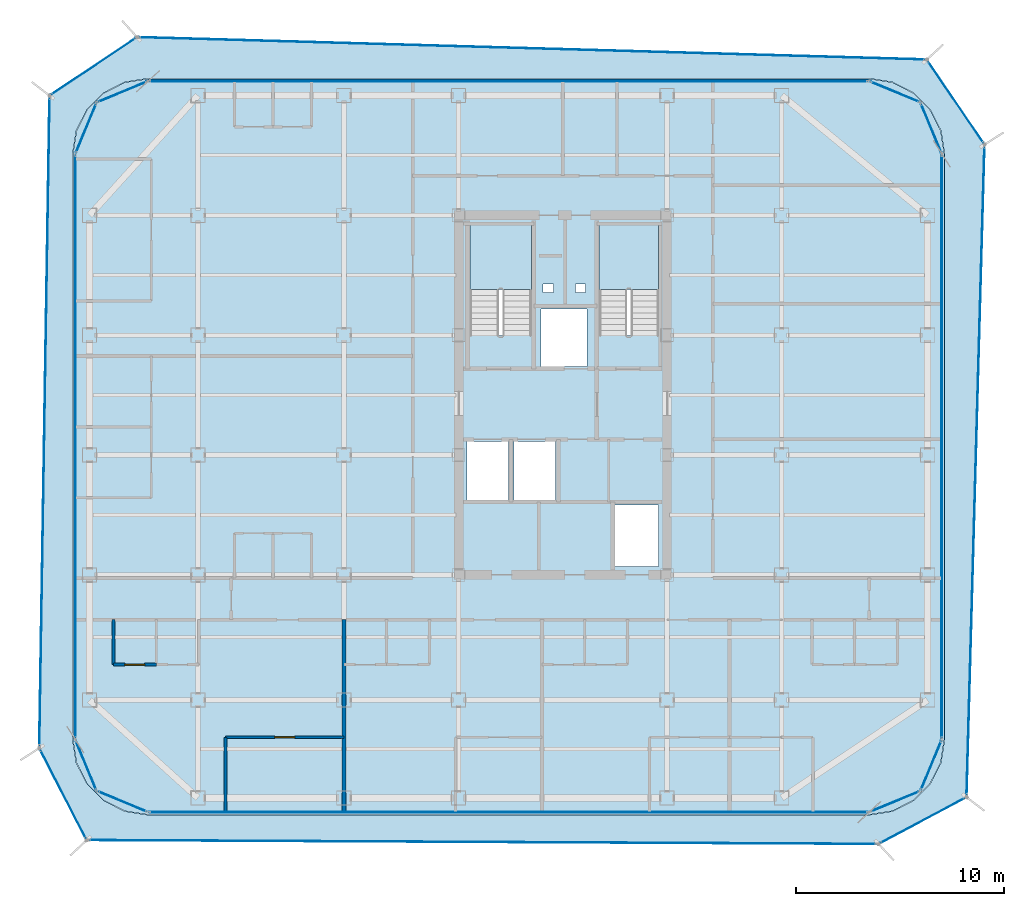
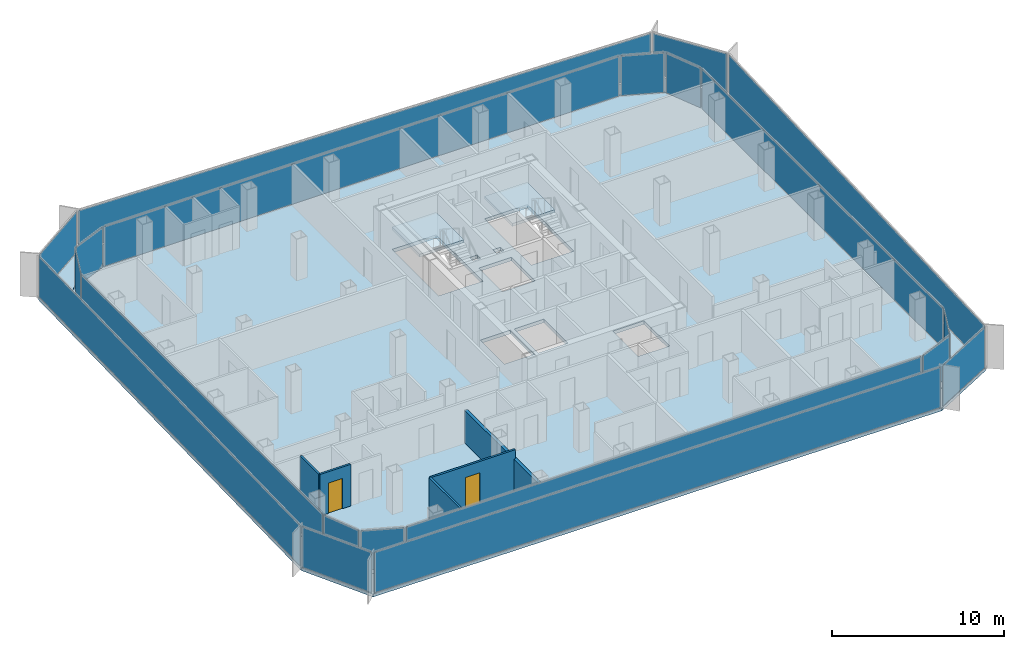
# One storey, part 9 of 16: 20 plates, 5 walls, 4 slabs, 2 doors, 2 openings, 22 elements without a shape of their own.
"""IFC4 building model written with IfcOpenShell, lengths in metres."""

from ifc_helpers import new_model, si_unit, direction, frame, frame_2d, origin, origin_2d, place, context, subcontext, project, spatial, polyline, rectangle, outline, extrude, source, transform, mapped, material, layer, layer_set, type_object, element, fill, aggregate, save


model = new_model("IFC4")

# Units and contexts
model_context = context("Model", 3, precision=1e-05, world=origin(), true_north=direction((0.0, 1.0)))
body_context = subcontext(model_context, "Body", "Model", "MODEL_VIEW")
ifc_project = project(units=[si_unit("LENGTHUNIT", "METRE"), si_unit("AREAUNIT", "SQUARE_METRE"), si_unit("VOLUMEUNIT", "CUBIC_METRE"), si_unit("PLANEANGLEUNIT", "RADIAN"), si_unit("MASSUNIT", "GRAM", prefix="KILO")], contexts=[model_context])

# Site, building, storey
site_placement = place(None, origin())
site = spatial("IfcSite", under=ifc_project, at=site_placement, CompositionType="ELEMENT")
building_placement = place(site_placement, origin())
building = spatial("IfcBuilding", under=site, at=building_placement, Name="Kolveth Station Tower", CompositionType="ELEMENT")
storey_placement = place(building_placement, frame((0.0, 0.0, 209.199951171875)))
storey = spatial("IfcBuildingStorey", under=building, at=storey_placement, Name="L59", CompositionType="ELEMENT", Elevation=209.199951171875)

# Slab
ifc_material_1 = material(Name="Concrete C40/50", Category="concrete")
ifc_layer_1 = layer(ifc_material_1, 0.25)
ifc_layer_set_1 = layer_set([ifc_layer_1], Name="Concrete C40/50")
slab_type_1 = type_object("IfcSlabType", Name="Slab_SF-250", PredefinedType="FLOOR", material=ifc_layer_set_1)
slab_1_placement = place(storey_placement, frame((0.0, 0.0, -0.25)))
element("IfcSlab", 1, at=slab_1_placement, inside=storey, type_object=slab_type_1, Name="L59 Tower Structural Floor Slab", PredefinedType="FLOOR", context=body_context, shape_type="SweptSolid", body=[
    extrude(outline(polyline([(38.199951171875, 0.0), (39.3125, 0.17626953125), (40.31591796875, 0.6875), (41.112548828125, 1.48388671875), (41.623779296875, 2.487548828125), (41.800048828125, 3.60009765625), (41.800048828125, 31.699951171875), (41.623779296875, 32.8125), (41.112548828125, 33.81591796875), (40.31591796875, 34.612548828125), (39.3125, 35.123779296875), (38.199951171875, 35.300048828125), (3.60009765625, 35.300048828125), (2.487548828125, 35.123779296875), (1.48388671875, 34.612548828125), (0.6875, 33.81591796875), (0.17626953125, 32.8125), (0.0, 31.699951171875), (0.0, 3.60009765625), (0.17626953125, 2.487548828125), (0.6875, 1.48388671875), (1.48388671875, 0.6875), (2.487548828125, 0.17626953125), (3.60009765625, 0.0), (38.199951171875, 0.0)]), holes=[polyline([(19.0400390625, 22.985107421875), (22.0, 22.985107421875), (22.0, 28.39990234375), (19.0400390625, 28.39990234375), (19.0400390625, 22.985107421875)]), polyline([(25.239990234375, 22.985107421875), (28.10009765625, 22.985107421875), (28.10009765625, 28.39990234375), (25.239990234375, 28.39990234375), (25.239990234375, 22.985107421875)]), polyline([(18.89990234375, 15.10009765625), (20.89990234375, 15.10009765625), (20.89990234375, 17.89990234375), (18.89990234375, 17.89990234375), (18.89990234375, 15.10009765625)]), polyline([(21.14990234375, 15.10009765625), (23.14990234375, 15.10009765625), (23.14990234375, 17.89990234375), (21.14990234375, 17.89990234375), (21.14990234375, 15.10009765625)]), polyline([(22.449951171875, 21.5), (24.64990234375, 21.5), (24.64990234375, 24.25), (22.449951171875, 24.25), (22.449951171875, 21.5)]), polyline([(26.0, 11.89990234375), (28.10009765625, 11.89990234375), (28.10009765625, 14.85009765625), (26.0, 14.85009765625), (26.0, 11.89990234375)]), polyline([(22.550048828125, 25.050048828125), (23.050048828125, 25.050048828125), (23.050048828125, 25.449951171875), (22.550048828125, 25.449951171875), (22.550048828125, 25.050048828125)]), polyline([(24.10009765625, 25.050048828125), (24.60009765625, 25.050048828125), (24.60009765625, 25.449951171875), (24.10009765625, 25.449951171875), (24.10009765625, 25.050048828125)])]), origin(), (0.0, 0.0, 1.0), 0.25),
])

# Stair, slab
stair_type_1 = type_object("IfcStairType", Name="Stair_ST2", PredefinedType="HALF_TURN_STAIR", material=ifc_material_1)
stair_1_placement = place(storey_placement, origin())
stair_1 = element("IfcStair", 2, at=stair_1_placement, inside=storey, type_object=stair_type_1, Name="L59 Tower Exit Stair ST2", PredefinedType="HALF_TURN_STAIR")
ifc_layer_2 = layer(ifc_material_1, 0.18994140625)
ifc_layer_set_2 = layer_set([ifc_layer_2], Name="Concrete C40/50")
slab_type_2 = type_object("IfcSlabType", Name="Slab_SL-190", PredefinedType="LANDING", material=ifc_layer_set_2)
slab_2_placement = place(storey_placement, frame((0.0, 0.0, 1.400146484375)))
slab_2 = element("IfcSlab", 3, at=slab_2_placement, type_object=slab_type_2, Name="ST2 landing 1", PredefinedType="LANDING", context=body_context, shape_type="SweptSolid", body=[
    extrude(outline(polyline([(28.10009765625, 25.18994140625), (28.10009765625, 28.39990234375), (25.239990234375, 28.39990234375), (25.239990234375, 25.18994140625), (28.10009765625, 25.18994140625)])), origin(), (0.0, 0.0, 1.0), 0.199951171875),
])
aggregate(stair_1, [slab_2])

stair_type_2 = type_object("IfcStairType", Name="Stair_ST1", PredefinedType="HALF_TURN_STAIR", material=ifc_material_1)
stair_2_placement = place(storey_placement, origin())
stair_2 = element("IfcStair", 4, at=stair_2_placement, inside=storey, type_object=stair_type_2, Name="L59 Tower Exit Stair ST1", PredefinedType="HALF_TURN_STAIR")
ifc_layer_3 = layer(ifc_material_1, 0.205078125)
ifc_layer_set_3 = layer_set([ifc_layer_3], Name="Concrete C40/50")
slab_type_3 = type_object("IfcSlabType", Name="Slab_SL-205", PredefinedType="LANDING", material=ifc_layer_set_3)
slab_3_placement = place(storey_placement, frame((0.0, 0.0, 1.400146484375)))
slab_3 = element("IfcSlab", 5, at=slab_3_placement, type_object=slab_type_3, Name="ST1 landing 1", PredefinedType="LANDING", context=body_context, shape_type="SweptSolid", body=[
    extrude(outline(polyline([(22.0, 25.18994140625), (22.0, 28.39990234375), (19.0400390625, 28.39990234375), (19.0400390625, 25.18994140625), (22.0, 25.18994140625)])), origin(), (0.0, 0.0, 1.0), 0.199951171875),
])
aggregate(stair_2, [slab_3])

# Slab
ifc_layer_4 = layer(ifc_material_1, 0.2099609375)
ifc_layer_set_4 = layer_set([ifc_layer_4], Name="Concrete C40/50")
slab_type_4 = type_object("IfcSlabType", Name="Slab_ST-210", PredefinedType="FLOOR", material=ifc_layer_set_4)
slab_4_placement = place(storey_placement, frame((0.0, 0.0, -0.2099609375)))
element("IfcSlab", 6, at=slab_4_placement, inside=storey, type_object=slab_type_4, Name="L59 Double-Skin Cavity Structural Ledger Ring", PredefinedType="FLOOR", context=body_context, shape_type="SweptSolid", body=[
    extrude(outline(polyline([(0.6640625, -1.222412109375), (-1.608154296875, 3.19482421875), (-1.1162109375, 34.489990234375), (3.0791015625, 37.292724609375), (40.962890625, 36.21923828125), (43.73193359375, 32.1455078125), (42.868896484375, 0.837158203125), (38.648681640625, -1.408203125), (0.6640625, -1.222412109375)]), holes=[polyline([(38.202392578125, -0.014892578125), (39.314697265625, 0.161376953125), (39.3193359375, 0.162841796875), (40.32275390625, 0.674072265625), (40.32666015625, 0.677001953125), (41.123046875, 1.473388671875), (41.1259765625, 1.477294921875), (41.63720703125, 2.480712890625), (41.638671875, 2.485107421875), (41.814697265625, 3.59765625), (41.81494140625, 3.60009765625), (41.81494140625, 31.699951171875), (41.814697265625, 31.702392578125), (41.638671875, 32.814697265625), (41.63720703125, 32.8193359375), (41.1259765625, 33.82275390625), (41.123046875, 33.82666015625), (40.32666015625, 34.623046875), (40.32275390625, 34.6259765625), (39.3193359375, 35.13720703125), (39.314697265625, 35.138671875), (38.202392578125, 35.314697265625), (38.199951171875, 35.31494140625), (3.60009765625, 35.31494140625), (3.59765625, 35.314697265625), (2.485107421875, 35.138671875), (2.480712890625, 35.13720703125), (1.477294921875, 34.6259765625), (1.473388671875, 34.623046875), (0.677001953125, 33.82666015625), (0.674072265625, 33.82275390625), (0.162841796875, 32.8193359375), (0.161376953125, 32.814697265625), (-0.014892578125, 31.702392578125), (-0.014892578125, 31.699951171875), (-0.014892578125, 3.60009765625), (-0.014892578125, 3.59765625), (0.161376953125, 2.485107421875), (0.162841796875, 2.480712890625), (0.674072265625, 1.477294921875), (0.677001953125, 1.473388671875), (1.473388671875, 0.677001953125), (1.477294921875, 0.674072265625), (2.480712890625, 0.162841796875), (2.485107421875, 0.161376953125), (3.59765625, -0.014892578125), (3.60009765625, -0.014892578125), (38.199951171875, -0.014892578125), (38.202392578125, -0.014892578125)])]), origin(), (0.0, 0.0, 1.0), 0.2099609375),
])

# Curtain wall, plate
ifc_material_2 = material(Name="Aluminium 6063-T6 and low-E dark glass", Category="aluminium")
ifc_layer_5 = layer(ifc_material_2, 0.18994140625)
ifc_layer_set_5 = layer_set([ifc_layer_5], Name="Aluminium 6063-T6 and low-E dark glass")
curtain_wall_type_1 = type_object("IfcCurtainWallType", Name="CurtainWall_CW-Z2", PredefinedType="NOTDEFINED", material=ifc_layer_set_5)
curtain_wall_1_placement = place(storey_placement, origin())
curtain_wall_1 = element("IfcCurtainWall", 7, at=curtain_wall_1_placement, inside=storey, type_object=curtain_wall_type_1, Name="L59 Inner Thermal Curtain Wall 1", PredefinedType="NOTDEFINED")
ifc_material_3 = material(Name="Architectural low-E dark glass", Category="glass")
ifc_layer_6 = layer(ifc_material_3, 0.0380859375)
ifc_layer_set_6 = layer_set([ifc_layer_6], Name="Architectural low-E dark glass")
plate_type_1 = type_object("IfcPlateType", Name="Panel_GL2", PredefinedType="CURTAIN_PANEL", material=ifc_layer_set_6)
shared_shape_1 = source(origin(), body_context, "Body", "SweptSolid", [
    extrude(rectangle(XDim=2.517578125, YDim=0.0380859375, at=origin_2d()), origin(), (0.0, 0.0, 1.0), 2.803955078125),
])
plate_1_placement = place(storey_placement, frame((39.430419921875, 0.629638671875, 0.0732421875), z_axis=(0.0, 0.0, 1.0), x_axis=(0.923873600544, 0.382697753087, 0.0)))
plate_1 = element("IfcPlate", 8, at=plate_1_placement, type_object=plate_type_1, Name="CW-Z2 panel 1.1", PredefinedType="CURTAIN_PANEL", context=body_context, shape_type="MappedRepresentation", body=[
    mapped(shared_shape_1, transform((0.0, 0.0, 0.0), x_axis=(1.0, 0.0, 0.0), y_axis=(0.0, 1.0, 0.0), z_axis=(0.0, 0.0, 1.0), scale=1.0)),
])
aggregate(curtain_wall_1, [plate_1])

curtain_wall_2_placement = place(storey_placement, origin())
curtain_wall_2 = element("IfcCurtainWall", 9, at=curtain_wall_2_placement, inside=storey, type_object=curtain_wall_type_1, Name="L59 Inner Thermal Curtain Wall 2", PredefinedType="NOTDEFINED")
plate_2_placement = place(storey_placement, frame((41.17041015625, 2.36962890625, 0.0732421875), z_axis=(0.0, 0.0, 1.0), x_axis=(0.382697753087, 0.923873600544, 0.0)))
plate_2 = element("IfcPlate", 10, at=plate_2_placement, type_object=plate_type_1, Name="CW-Z2 panel 1.1", PredefinedType="CURTAIN_PANEL", context=body_context, shape_type="MappedRepresentation", body=[
    mapped(shared_shape_1, transform((0.0, 0.0, 0.0), x_axis=(1.0, 0.0, 0.0), y_axis=(0.0, 1.0, 0.0), z_axis=(0.0, 0.0, 1.0), scale=1.0)),
])
aggregate(curtain_wall_2, [plate_2])

curtain_wall_3_placement = place(storey_placement, origin())
curtain_wall_3 = element("IfcCurtainWall", 11, at=curtain_wall_3_placement, inside=storey, type_object=curtain_wall_type_1, Name="L59 Inner Thermal Curtain Wall 4", PredefinedType="NOTDEFINED")
plate_3_placement = place(storey_placement, frame((41.17041015625, 32.930419921875, 0.0732421875), z_axis=(0.0, 0.0, 1.0), x_axis=(-0.382697753087, 0.923873600544, 0.0)))
plate_3 = element("IfcPlate", 12, at=plate_3_placement, type_object=plate_type_1, Name="CW-Z2 panel 1.1", PredefinedType="CURTAIN_PANEL", context=body_context, shape_type="MappedRepresentation", body=[
    mapped(shared_shape_1, transform((0.0, 0.0, 0.0), x_axis=(1.0, 0.0, 0.0), y_axis=(0.0, 1.0, 0.0), z_axis=(0.0, 0.0, 1.0), scale=1.0)),
])
aggregate(curtain_wall_3, [plate_3])

curtain_wall_4_placement = place(storey_placement, origin())
curtain_wall_4 = element("IfcCurtainWall", 13, at=curtain_wall_4_placement, inside=storey, type_object=curtain_wall_type_1, Name="L59 Inner Thermal Curtain Wall 5", PredefinedType="NOTDEFINED")
plate_4_placement = place(storey_placement, frame((39.430419921875, 34.67041015625, 0.0732421875), z_axis=(0.0, 0.0, 1.0), x_axis=(-0.923873600544, 0.382697753087, 0.0)))
plate_4 = element("IfcPlate", 14, at=plate_4_placement, type_object=plate_type_1, Name="CW-Z2 panel 1.1", PredefinedType="CURTAIN_PANEL", context=body_context, shape_type="MappedRepresentation", body=[
    mapped(shared_shape_1, transform((0.0, 0.0, 0.0), x_axis=(1.0, 0.0, 0.0), y_axis=(0.0, 1.0, 0.0), z_axis=(0.0, 0.0, 1.0), scale=1.0)),
])
aggregate(curtain_wall_4, [plate_4])

curtain_wall_5_placement = place(storey_placement, origin())
curtain_wall_5 = element("IfcCurtainWall", 15, at=curtain_wall_5_placement, inside=storey, type_object=curtain_wall_type_1, Name="L59 Inner Thermal Curtain Wall 7", PredefinedType="NOTDEFINED")
plate_5_placement = place(storey_placement, frame((2.36962890625, 34.67041015625, 0.0732421875), z_axis=(0.0, 0.0, 1.0), x_axis=(-0.923873600544, -0.382697753087, 0.0)))
plate_5 = element("IfcPlate", 16, at=plate_5_placement, type_object=plate_type_1, Name="CW-Z2 panel 1.1", PredefinedType="CURTAIN_PANEL", context=body_context, shape_type="MappedRepresentation", body=[
    mapped(shared_shape_1, transform((0.0, 0.0, 0.0), x_axis=(1.0, 0.0, 0.0), y_axis=(0.0, 1.0, 0.0), z_axis=(0.0, 0.0, 1.0), scale=1.0)),
])
aggregate(curtain_wall_5, [plate_5])

curtain_wall_6_placement = place(storey_placement, origin())
curtain_wall_6 = element("IfcCurtainWall", 17, at=curtain_wall_6_placement, inside=storey, type_object=curtain_wall_type_1, Name="L59 Inner Thermal Curtain Wall 8", PredefinedType="NOTDEFINED")
plate_6_placement = place(storey_placement, frame((0.629638671875, 32.930419921875, 0.0732421875), z_axis=(0.0, 0.0, 1.0), x_axis=(-0.382697753087, -0.923873600544, 0.0)))
plate_6 = element("IfcPlate", 18, at=plate_6_placement, type_object=plate_type_1, Name="CW-Z2 panel 1.1", PredefinedType="CURTAIN_PANEL", context=body_context, shape_type="MappedRepresentation", body=[
    mapped(shared_shape_1, transform((0.0, 0.0, 0.0), x_axis=(1.0, 0.0, 0.0), y_axis=(0.0, 1.0, 0.0), z_axis=(0.0, 0.0, 1.0), scale=1.0)),
])
aggregate(curtain_wall_6, [plate_6])

curtain_wall_7_placement = place(storey_placement, origin())
curtain_wall_7 = element("IfcCurtainWall", 19, at=curtain_wall_7_placement, inside=storey, type_object=curtain_wall_type_1, Name="L59 Inner Thermal Curtain Wall 10", PredefinedType="NOTDEFINED")
plate_7_placement = place(storey_placement, frame((0.629638671875, 2.36962890625, 0.0732421875), z_axis=(0.0, 0.0, 1.0), x_axis=(0.382697753087, -0.923873600544, 0.0)))
plate_7 = element("IfcPlate", 20, at=plate_7_placement, type_object=plate_type_1, Name="CW-Z2 panel 1.1", PredefinedType="CURTAIN_PANEL", context=body_context, shape_type="MappedRepresentation", body=[
    mapped(shared_shape_1, transform((0.0, 0.0, 0.0), x_axis=(1.0, 0.0, 0.0), y_axis=(0.0, 1.0, 0.0), z_axis=(0.0, 0.0, 1.0), scale=1.0)),
])
aggregate(curtain_wall_7, [plate_7])

curtain_wall_8_placement = place(storey_placement, origin())
curtain_wall_8 = element("IfcCurtainWall", 21, at=curtain_wall_8_placement, inside=storey, type_object=curtain_wall_type_1, Name="L59 Inner Thermal Curtain Wall 11", PredefinedType="NOTDEFINED")
plate_8_placement = place(storey_placement, frame((2.36962890625, 0.629638671875, 0.0732421875), z_axis=(0.0, 0.0, 1.0), x_axis=(0.923873600544, -0.382697753087, 0.0)))
plate_8 = element("IfcPlate", 22, at=plate_8_placement, type_object=plate_type_1, Name="CW-Z2 panel 1.1", PredefinedType="CURTAIN_PANEL", context=body_context, shape_type="MappedRepresentation", body=[
    mapped(shared_shape_1, transform((0.0, 0.0, 0.0), x_axis=(1.0, 0.0, 0.0), y_axis=(0.0, 1.0, 0.0), z_axis=(0.0, 0.0, 1.0), scale=1.0)),
])
aggregate(curtain_wall_8, [plate_8])

curtain_wall_9_placement = place(storey_placement, origin())
curtain_wall_9 = element("IfcCurtainWall", 23, at=curtain_wall_9_placement, inside=storey, type_object=curtain_wall_type_1, Name="L59 Inner Thermal Curtain Wall 3", PredefinedType="NOTDEFINED")
shared_shape_2 = source(origin(), body_context, "Body", "SweptSolid", [
    extrude(rectangle(XDim=27.9541015625, YDim=0.0380859375, at=origin_2d()), origin(), (0.0, 0.0, 1.0), 2.803955078125),
])
plate_9_placement = place(storey_placement, frame((41.679931640625, 17.64990234375, 0.0732421875), z_axis=(0.0, 0.0, 1.0), x_axis=(0.0, 1.0, 0.0)))
plate_9 = element("IfcPlate", 24, at=plate_9_placement, type_object=plate_type_1, Name="CW-Z2 panel 1.1", PredefinedType="CURTAIN_PANEL", context=body_context, shape_type="MappedRepresentation", body=[
    mapped(shared_shape_2, transform((0.0, 0.0, 0.0), x_axis=(1.0, 0.0, 0.0), y_axis=(0.0, 1.0, 0.0), z_axis=(0.0, 0.0, 1.0), scale=1.0)),
])
aggregate(curtain_wall_9, [plate_9])

curtain_wall_10_placement = place(storey_placement, origin())
curtain_wall_10 = element("IfcCurtainWall", 25, at=curtain_wall_10_placement, inside=storey, type_object=curtain_wall_type_1, Name="L59 Inner Thermal Curtain Wall 9", PredefinedType="NOTDEFINED")
plate_10_placement = place(storey_placement, frame((0.1201171875, 17.64990234375, 0.0732421875), z_axis=(0.0, 0.0, 1.0), x_axis=(0.0, -1.0, 0.0)))
plate_10 = element("IfcPlate", 26, at=plate_10_placement, type_object=plate_type_1, Name="CW-Z2 panel 1.1", PredefinedType="CURTAIN_PANEL", context=body_context, shape_type="MappedRepresentation", body=[
    mapped(shared_shape_2, transform((0.0, 0.0, 0.0), x_axis=(1.0, 0.0, 0.0), y_axis=(0.0, 1.0, 0.0), z_axis=(0.0, 0.0, 1.0), scale=1.0)),
])
aggregate(curtain_wall_10, [plate_10])

curtain_wall_11_placement = place(storey_placement, origin())
curtain_wall_11 = element("IfcCurtainWall", 27, at=curtain_wall_11_placement, inside=storey, type_object=curtain_wall_type_1, Name="L59 Inner Thermal Curtain Wall 6", PredefinedType="NOTDEFINED")
shared_shape_3 = source(origin(), body_context, "Body", "SweptSolid", [
    extrude(rectangle(XDim=34.4541015625, YDim=0.0380859375, at=origin_2d()), origin(), (0.0, 0.0, 1.0), 2.803955078125),
])
plate_11_placement = place(storey_placement, frame((20.89990234375, 35.179931640625, 0.0732421875), z_axis=(0.0, 0.0, 1.0), x_axis=(-1.0, 0.0, 0.0)))
plate_11 = element("IfcPlate", 28, at=plate_11_placement, type_object=plate_type_1, Name="CW-Z2 panel 1.1", PredefinedType="CURTAIN_PANEL", context=body_context, shape_type="MappedRepresentation", body=[
    mapped(shared_shape_3, transform((0.0, 0.0, 0.0), x_axis=(1.0, 0.0, 0.0), y_axis=(0.0, 1.0, 0.0), z_axis=(0.0, 0.0, 1.0), scale=1.0)),
])
aggregate(curtain_wall_11, [plate_11])

curtain_wall_12_placement = place(storey_placement, origin())
curtain_wall_12 = element("IfcCurtainWall", 29, at=curtain_wall_12_placement, inside=storey, type_object=curtain_wall_type_1, Name="L59 Inner Thermal Curtain Wall 12", PredefinedType="NOTDEFINED")
plate_12_placement = place(storey_placement, frame((20.89990234375, 0.1201171875, 0.0732421875), z_axis=(0.0, 0.0, 1.0), x_axis=(1.0, 0.0, 0.0)))
plate_12 = element("IfcPlate", 30, at=plate_12_placement, type_object=plate_type_1, Name="CW-Z2 panel 1.1", PredefinedType="CURTAIN_PANEL", context=body_context, shape_type="MappedRepresentation", body=[
    mapped(shared_shape_3, transform((0.0, 0.0, 0.0), x_axis=(1.0, 0.0, 0.0), y_axis=(0.0, 1.0, 0.0), z_axis=(0.0, 0.0, 1.0), scale=1.0)),
])
aggregate(curtain_wall_12, [plate_12])

ifc_material_4 = material(Name="Black anodized aluminium 6063-T6 and dark solar glass", Category="aluminium")
ifc_layer_7 = layer(ifc_material_4, 0.159912109375)
ifc_layer_set_7 = layer_set([ifc_layer_7], Name="Black anodized aluminium 6063-T6 and dark solar glass")
curtain_wall_type_2 = type_object("IfcCurtainWallType", Name="OUTER SKIN CW-OS", PredefinedType="NOTDEFINED", material=ifc_layer_set_7)
curtain_wall_13_placement = place(storey_placement, origin())
curtain_wall_13 = element("IfcCurtainWall", 31, at=curtain_wall_13_placement, inside=storey, type_object=curtain_wall_type_2, Name="L59 Outer Ventilated Skin Curtain Wall 1", PredefinedType="NOTDEFINED")
ifc_layer_8 = layer(ifc_material_3, 0.028076171875)
ifc_layer_set_8 = layer_set([ifc_layer_8], Name="Architectural low-E dark glass")
plate_type_2 = type_object("IfcPlateType", Name="Panel_GL-OS", PredefinedType="CURTAIN_PANEL", material=ifc_layer_set_8)
shared_shape_4 = source(origin(), body_context, "Body", "SweptSolid", [
    extrude(rectangle(XDim=4.614501953125, YDim=0.028076171875, at=origin_2d()), origin(), (0.0, 0.0, 1.0), 2.843994140625),
])
plate_13_placement = place(storey_placement, frame((40.7587890625, -0.285400390625, 0.0732421875), z_axis=(0.0, 0.0, 1.0), x_axis=(0.882823852655, 0.469704210311, 0.0)))
plate_13 = element("IfcPlate", 32, at=plate_13_placement, type_object=plate_type_2, Name="CW-OS panel 1.1", PredefinedType="CURTAIN_PANEL", context=body_context, shape_type="MappedRepresentation", body=[
    mapped(shared_shape_4, transform((0.0, 0.0, 0.0), x_axis=(1.0, 0.0, 0.0), y_axis=(0.0, 1.0, 0.0), z_axis=(0.0, 0.0, 1.0), scale=1.0)),
])
aggregate(curtain_wall_13, [plate_13])

curtain_wall_14_placement = place(storey_placement, origin())
curtain_wall_14 = element("IfcCurtainWall", 33, at=curtain_wall_14_placement, inside=storey, type_object=curtain_wall_type_2, Name="L59 Outer Ventilated Skin Curtain Wall 2", PredefinedType="NOTDEFINED")
shared_shape_5 = source(origin(), body_context, "Body", "SweptSolid", [
    extrude(rectangle(XDim=31.154296875, YDim=0.028076171875, at=origin_2d()), origin(), (0.0, 0.0, 1.0), 2.843994140625),
])
plate_14_placement = place(storey_placement, frame((43.300537109375, 16.491455078125, 0.0732421875), z_axis=(0.0, 0.0, 1.0), x_axis=(0.027554109622, 0.999620313441, 0.0)))
plate_14 = element("IfcPlate", 34, at=plate_14_placement, type_object=plate_type_2, Name="CW-OS panel 1.1", PredefinedType="CURTAIN_PANEL", context=body_context, shape_type="MappedRepresentation", body=[
    mapped(shared_shape_5, transform((0.0, 0.0, 0.0), x_axis=(1.0, 0.0, 0.0), y_axis=(0.0, 1.0, 0.0), z_axis=(0.0, 0.0, 1.0), scale=1.0)),
])
aggregate(curtain_wall_14, [plate_14])

curtain_wall_15_placement = place(storey_placement, origin())
curtain_wall_15 = element("IfcCurtainWall", 35, at=curtain_wall_15_placement, inside=storey, type_object=curtain_wall_type_2, Name="L59 Outer Ventilated Skin Curtain Wall 3", PredefinedType="NOTDEFINED")
shared_shape_6 = source(origin(), body_context, "Body", "SweptSolid", [
    extrude(rectangle(XDim=4.759765625, YDim=0.028076171875, at=origin_2d()), origin(), (0.0, 0.0, 1.0), 2.843994140625),
])
plate_15_placement = place(storey_placement, frame((42.347412109375, 34.182373046875, 0.0732421875), z_axis=(0.0, 0.0, 1.0), x_axis=(-0.562155083076, 0.827031838911, 0.0)))
plate_15 = element("IfcPlate", 36, at=plate_15_placement, type_object=plate_type_2, Name="CW-OS panel 1.1", PredefinedType="CURTAIN_PANEL", context=body_context, shape_type="MappedRepresentation", body=[
    mapped(shared_shape_6, transform((0.0, 0.0, 0.0), x_axis=(1.0, 0.0, 0.0), y_axis=(0.0, 1.0, 0.0), z_axis=(0.0, 0.0, 1.0), scale=1.0)),
])
aggregate(curtain_wall_15, [plate_15])

curtain_wall_16_placement = place(storey_placement, origin())
curtain_wall_16 = element("IfcCurtainWall", 37, at=curtain_wall_16_placement, inside=storey, type_object=curtain_wall_type_2, Name="L59 Outer Ventilated Skin Curtain Wall 4", PredefinedType="NOTDEFINED")
shared_shape_7 = source(origin(), body_context, "Body", "SweptSolid", [
    extrude(rectangle(XDim=37.733154296875, YDim=0.028076171875, at=origin_2d()), origin(), (0.0, 0.0, 1.0), 2.843994140625),
])
plate_16_placement = place(storey_placement, frame((22.02099609375, 36.755859375, 0.0732421875), z_axis=(0.0, 0.0, 1.0), x_axis=(-0.999598760857, 0.028325205957, 0.0)))
plate_16 = element("IfcPlate", 38, at=plate_16_placement, type_object=plate_type_2, Name="CW-OS panel 1.1", PredefinedType="CURTAIN_PANEL", context=body_context, shape_type="MappedRepresentation", body=[
    mapped(shared_shape_7, transform((0.0, 0.0, 0.0), x_axis=(1.0, 0.0, 0.0), y_axis=(0.0, 1.0, 0.0), z_axis=(0.0, 0.0, 1.0), scale=1.0)),
])
aggregate(curtain_wall_16, [plate_16])

curtain_wall_17_placement = place(storey_placement, origin())
curtain_wall_17 = element("IfcCurtainWall", 39, at=curtain_wall_17_placement, inside=storey, type_object=curtain_wall_type_2, Name="L59 Outer Ventilated Skin Curtain Wall 5", PredefinedType="NOTDEFINED")
shared_shape_8 = source(origin(), body_context, "Body", "SweptSolid", [
    extrude(rectangle(XDim=4.87939453125, YDim=0.028076171875, at=origin_2d()), origin(), (0.0, 0.0, 1.0), 2.843994140625),
])
plate_17_placement = place(storey_placement, frame((0.9814453125, 35.891357421875, 0.0732421875), z_axis=(0.0, 0.0, 1.0), x_axis=(-0.831501017307, -0.555523229233, 0.0)))
plate_17 = element("IfcPlate", 40, at=plate_17_placement, type_object=plate_type_2, Name="CW-OS panel 1.1", PredefinedType="CURTAIN_PANEL", context=body_context, shape_type="MappedRepresentation", body=[
    mapped(shared_shape_8, transform((0.0, 0.0, 0.0), x_axis=(1.0, 0.0, 0.0), y_axis=(0.0, 1.0, 0.0), z_axis=(0.0, 0.0, 1.0), scale=1.0)),
])
aggregate(curtain_wall_17, [plate_17])

curtain_wall_18_placement = place(storey_placement, origin())
curtain_wall_18 = element("IfcCurtainWall", 41, at=curtain_wall_18_placement, inside=storey, type_object=curtain_wall_type_2, Name="L59 Outer Ventilated Skin Curtain Wall 6", PredefinedType="NOTDEFINED")
shared_shape_9 = source(origin(), body_context, "Body", "SweptSolid", [
    extrude(rectangle(XDim=31.1328125, YDim=0.028076171875, at=origin_2d()), origin(), (0.0, 0.0, 1.0), 2.843994140625),
])
plate_18_placement = place(storey_placement, frame((-1.362060546875, 18.84228515625, 0.0732421875), z_axis=(0.0, 0.0, 1.0), x_axis=(-0.015719418751, -0.999876442304, 0.0)))
plate_18 = element("IfcPlate", 42, at=plate_18_placement, type_object=plate_type_2, Name="CW-OS panel 1.1", PredefinedType="CURTAIN_PANEL", context=body_context, shape_type="MappedRepresentation", body=[
    mapped(shared_shape_9, transform((0.0, 0.0, 0.0), x_axis=(1.0, 0.0, 0.0), y_axis=(0.0, 1.0, 0.0), z_axis=(0.0, 0.0, 1.0), scale=1.0)),
])
aggregate(curtain_wall_18, [plate_18])

curtain_wall_19_placement = place(storey_placement, origin())
curtain_wall_19 = element("IfcCurtainWall", 43, at=curtain_wall_19_placement, inside=storey, type_object=curtain_wall_type_2, Name="L59 Outer Ventilated Skin Curtain Wall 7", PredefinedType="NOTDEFINED")
shared_shape_10 = source(origin(), body_context, "Body", "SweptSolid", [
    extrude(rectangle(XDim=4.80126953125, YDim=0.028076171875, at=origin_2d()), origin(), (0.0, 0.0, 1.0), 2.843994140625),
])
plate_19_placement = place(storey_placement, frame((-0.47216796875, 0.986328125, 0.0732421875), z_axis=(0.0, 0.0, 1.0), x_axis=(0.457411239669, -0.889255282708, 0.0)))
plate_19 = element("IfcPlate", 44, at=plate_19_placement, type_object=plate_type_2, Name="CW-OS panel 1.1", PredefinedType="CURTAIN_PANEL", context=body_context, shape_type="MappedRepresentation", body=[
    mapped(shared_shape_10, transform((0.0, 0.0, 0.0), x_axis=(1.0, 0.0, 0.0), y_axis=(0.0, 1.0, 0.0), z_axis=(0.0, 0.0, 1.0), scale=1.0)),
])
aggregate(curtain_wall_19, [plate_19])

curtain_wall_20_placement = place(storey_placement, origin())
curtain_wall_20 = element("IfcCurtainWall", 45, at=curtain_wall_20_placement, inside=storey, type_object=curtain_wall_type_2, Name="L59 Outer Ventilated Skin Curtain Wall 8", PredefinedType="NOTDEFINED")
shared_shape_11 = source(origin(), body_context, "Body", "SweptSolid", [
    extrude(rectangle(XDim=37.819091796875, YDim=0.028076171875, at=origin_2d()), origin(), (0.0, 0.0, 1.0), 2.843994140625),
])
plate_20_placement = place(storey_placement, frame((19.65625, -1.315185546875, 0.0732421875), z_axis=(0.0, 0.0, 1.0), x_axis=(0.999988024226, -0.004894017169, 0.0)))
plate_20 = element("IfcPlate", 46, at=plate_20_placement, type_object=plate_type_2, Name="CW-OS panel 1.1", PredefinedType="CURTAIN_PANEL", context=body_context, shape_type="MappedRepresentation", body=[
    mapped(shared_shape_11, transform((0.0, 0.0, 0.0), x_axis=(1.0, 0.0, 0.0), y_axis=(0.0, 1.0, 0.0), z_axis=(0.0, 0.0, 1.0), scale=1.0)),
])
aggregate(curtain_wall_20, [plate_20])

# Wall, opening, door
ifc_material_5 = material(Name="Moisture-resistant gypsum partition")
ifc_layer_9 = layer(ifc_material_5, 0.135009765625)
ifc_layer_set_9 = layer_set([ifc_layer_9], Name="Moisture-resistant gypsum partition")
wall_type_1 = type_object("IfcWallType", Name="Wall_IW-135", PredefinedType="PARTITIONING", material=ifc_layer_set_9)
wall_1_placement = place(storey_placement, frame((1.949951171875, 7.199951171875, 0.0), z_axis=(0.0, 0.0, 1.0), x_axis=(1.0, 0.0, 0.0)))
wall_1 = element("IfcWall", 47, at=wall_1_placement, inside=storey, type_object=wall_type_1, Name="L59 Partition Wall WL-L59-A1-IBHK", PredefinedType="PARTITIONING", context=body_context, shape_type="SweptSolid", body=[
    extrude(rectangle(XDim=2.050048828125, YDim=0.135009765625, at=frame_2d((1.02490234375, 0.0))), origin(), (0.0, 0.0, 1.0), 2.949951171875),
])
opening_1_placement = place(wall_1_placement, frame((0.544921875, 0.0, 0.0)))
opening_1 = element("IfcOpeningElement", 48, at=opening_1_placement, cuts=wall_1, Name="Opening ID1", PredefinedType="OPENING", context=body_context, shape_type="SweptSolid", body=[
    extrude(rectangle(XDim=0.949951171875, YDim=2.14990234375, at=frame_2d((0.47509765625, 1.074951171875))), frame((0.0, 0.077392578125, 0.0), z_axis=(0.0, -1.0, 0.0), x_axis=(1.0, 0.0, 0.0)), (0.0, 0.0, 1.0), 0.155029296875),
])
ifc_material_6 = material(Name="Acoustic hardwood leaf and aluminium frame", Category="wood")
door_type = type_object("IfcDoorType", Name="Door_ID1", OperationType="NOTDEFINED", PredefinedType="DOOR", material=ifc_material_6)
door_1_placement = place(opening_1_placement, origin())
door_1 = element("IfcDoor", 49, at=door_1_placement, inside=storey, type_object=door_type, Name="Penthouse Flat L59-A1 Kitchen Door", OperationType="SINGLE_SWING_LEFT", OverallHeight=2.14990234375, OverallWidth=0.949951171875, PredefinedType="DOOR", context=body_context, shape_type="SweptSolid", body=[
    extrude(rectangle(XDim=0.949951171875, YDim=2.14990234375, at=frame_2d((0.47509765625, 1.074951171875))), frame((0.0, 0.02490234375, 0.0), z_axis=(0.0, -1.0, 0.0), x_axis=(1.0, 0.0, 0.0)), (0.0, 0.0, 1.0), 0.050048828125),
])
fill(opening_1, door_1)

# Walls
wall_2_placement = place(storey_placement, frame((1.949951171875, 7.199951171875, 0.0), z_axis=(0.0, 0.0, 1.0), x_axis=(0.0, 1.0, 0.0)))
element("IfcWall", 50, at=wall_2_placement, inside=storey, type_object=wall_type_1, Name="L59 Partition Wall WL-L59-A1-IBV0", PredefinedType="PARTITIONING", context=body_context, shape_type="SweptSolid", body=[
    extrude(rectangle(XDim=2.150146484375, YDim=0.135009765625, at=frame_2d((1.0751953125, 0.0))), origin(), (0.0, 0.0, 1.0), 2.949951171875),
])
wall_3_placement = place(storey_placement, frame((7.326904296875, 0.159912109375, 0.0), z_axis=(0.0, 0.0, 1.0), x_axis=(0.0, 1.0, 0.0)))
element("IfcWall", 51, at=wall_3_placement, inside=storey, type_object=wall_type_1, Name="L59 Partition Wall WL-L59-A1-BDV0", PredefinedType="PARTITIONING", context=body_context, shape_type="SweptSolid", body=[
    extrude(rectangle(XDim=3.550048828125, YDim=0.135009765625, at=frame_2d((1.77490234375, 0.0))), origin(), (0.0, 0.0, 1.0), 2.949951171875),
])

# Wall, opening, door
wall_4_placement = place(storey_placement, frame((7.326904296875, 3.7099609375, 0.0), z_axis=(0.0, 0.0, 1.0), x_axis=(1.0, 0.0, 0.0)))
wall_4 = element("IfcWall", 52, at=wall_4_placement, inside=storey, type_object=wall_type_1, Name="L59 Partition Wall WL-L59-A1-BDH1", PredefinedType="PARTITIONING", context=body_context, shape_type="SweptSolid", body=[
    extrude(rectangle(XDim=5.673095703125, YDim=0.135009765625, at=frame_2d((2.83642578125, 0.0))), origin(), (0.0, 0.0, 1.0), 2.949951171875),
])
opening_2_placement = place(wall_4_placement, frame((2.35595703125, 0.0, 0.0)))
opening_2 = element("IfcOpeningElement", 53, at=opening_2_placement, cuts=wall_4, Name="Opening ID1", PredefinedType="OPENING", context=body_context, shape_type="SweptSolid", body=[
    extrude(rectangle(XDim=0.949951171875, YDim=2.14990234375, at=frame_2d((0.47509765625, 1.074951171875))), frame((0.0, 0.077392578125, 0.0), z_axis=(0.0, -1.0, 0.0), x_axis=(1.0, 0.0, 0.0)), (0.0, 0.0, 1.0), 0.155029296875),
])
door_2_placement = place(opening_2_placement, frame((0.949951171875, 0.0, 0.0), z_axis=(0.0, 0.0, 1.0), x_axis=(-1.0, 0.0, 0.0)))
door_2 = element("IfcDoor", 54, at=door_2_placement, inside=storey, type_object=door_type, Name="Penthouse Flat L59-A1 Bedroom 1 Door", OperationType="SINGLE_SWING_RIGHT", OverallHeight=2.14990234375, OverallWidth=0.949951171875, PredefinedType="DOOR", context=body_context, shape_type="SweptSolid", body=[
    extrude(rectangle(XDim=0.949951171875, YDim=2.14990234375, at=frame_2d((0.47509765625, 1.074951171875))), frame((0.0, 0.02490234375, 0.0), z_axis=(0.0, -1.0, 0.0), x_axis=(1.0, 0.0, 0.0)), (0.0, 0.0, 1.0), 0.050048828125),
])
fill(opening_2, door_2)

# Wall
ifc_material_7 = material(Name="Acoustic fire-rated gypsum blockwork", Category="masonry")
ifc_layer_10 = layer(ifc_material_7, 0.199951171875)
ifc_layer_set_10 = layer_set([ifc_layer_10], Name="Acoustic fire-rated gypsum blockwork")
wall_type_2 = type_object("IfcWallType", Name="Wall_IW-200", PredefinedType="PARTITIONING", material=ifc_layer_set_10)
wall_5_placement = place(storey_placement, frame((13.0, 0.159912109375, 0.0), z_axis=(0.0, 0.0, 1.0), x_axis=(0.0, 1.0, 0.0)))
element("IfcWall", 55, at=wall_5_placement, inside=storey, type_object=wall_type_2, Name="L59 Partition Wall WL-L59-RSU-1", PredefinedType="PARTITIONING", context=body_context, shape_type="SweptSolid", body=[
    extrude(rectangle(XDim=9.190185546875, YDim=0.199951171875, at=frame_2d((4.59521484375, 0.0))), origin(), (0.0, 0.0, 1.0), 2.322998046875),
])

save(model, "model.ifc")
